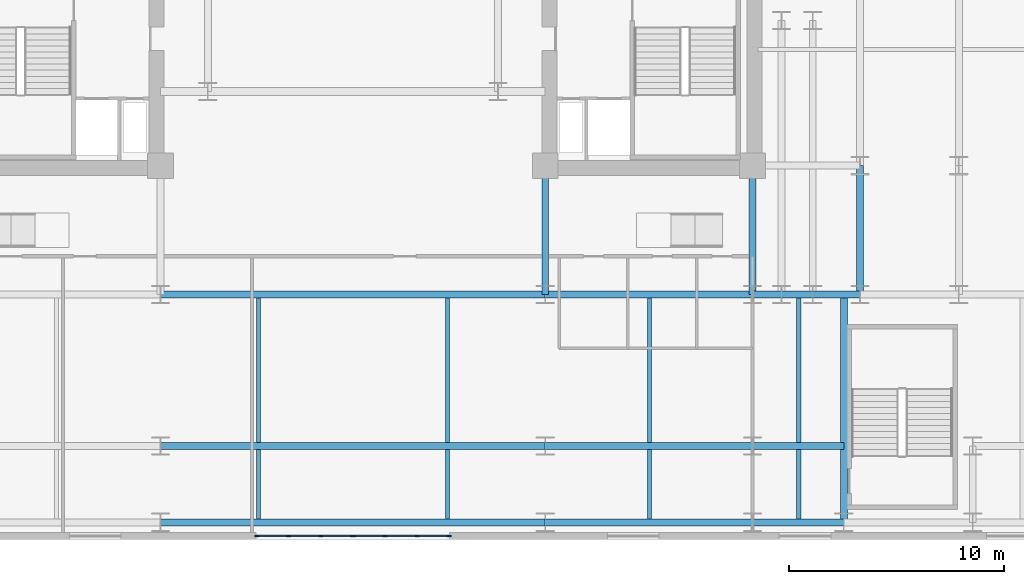
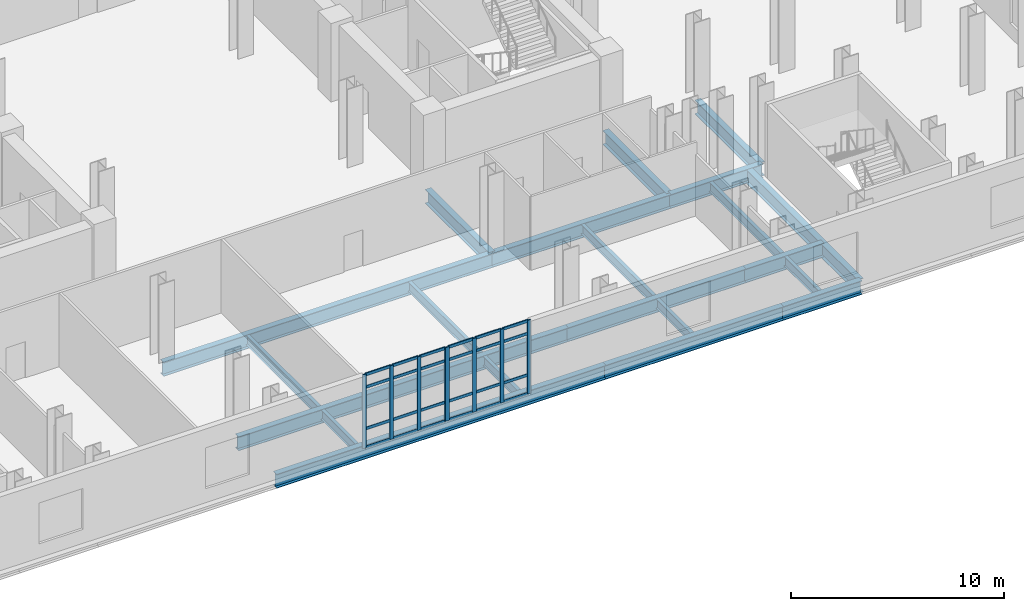
# One storey, part 3 of 13: 32 members, 21 beams, 2 elements without a shape of their own.
"""IFC4 building model written with IfcOpenShell, lengths in metres."""

import ifcopenshell
import ifcopenshell.guid

model = None  # the IFC model being written
_history = None  # IfcOwnerHistory: only IFC2X3 demands one
_inside = {}  # id of a spatial element -> (the spatial element, [elements in it])
_under = {}  # id of a project, library or spatial element -> (it, [spatial elements below it])
_declared = {}  # id of a project -> (the project, [libraries it declares])
_typed = {}  # id of a type object -> (the type object, [elements of that type])
_made_of = {}  # id of a material, layer set ... -> (it, [elements and type objects made of it])


def new_model(schema):
    """Start an empty IFC model of exactly this schema.

    Asked for "IFC4X3", IfcOpenShell would pick the latest addendum, in which some entities
    have other attributes; the version numbers below select the first issue.
    IFC2X3 requires an IfcOwnerHistory on every rooted entity: one is made here for all.
    """
    global model, _history
    if schema == "IFC4X3":
        model = ifcopenshell.file(schema_version=(4, 3, 0, 0))
    else:
        model = ifcopenshell.file(schema=schema)
    _inside.clear()
    _under.clear()
    _declared.clear()
    _typed.clear()
    _made_of.clear()
    _history = None
    if model.schema == "IFC2X3":
        org = make("IfcOrganization", Name="unknown")
        user = make(
            "IfcPersonAndOrganization",
            ThePerson=make("IfcPerson", FamilyName="unknown"),
            TheOrganization=org,
        )
        app = make(
            "IfcApplication",
            ApplicationDeveloper=org,
            Version="unknown",
            ApplicationFullName="unknown",
            ApplicationIdentifier="unknown",
        )
        _history = make(
            "IfcOwnerHistory",
            OwningUser=user,
            OwningApplication=app,
            ChangeAction="ADDED",
            CreationDate=0,
        )
    return model


def make(cls, **values):
    """One entity of the class cls with the attributes given. An attribute that is None is left unset."""
    return model.create_entity(
        cls, **{name: value for name, value in values.items() if value is not None}
    )


def rooted(cls, **values):
    """An entity with a GlobalId (a new one), such as an element, a storey or a relation."""
    return make(cls, GlobalId=ifcopenshell.guid.new(), OwnerHistory=_history, **values)


def si_unit(unit_type, name, prefix=None):
    """IfcSIUnit, for example si_unit("LENGTHUNIT", "METRE", prefix="MILLI")."""
    return make("IfcSIUnit", UnitType=unit_type, Prefix=prefix, Name=name)


def assignment(units):
    """IfcUnitAssignment: the units of a project."""
    return None if units is None else make("IfcUnitAssignment", Units=units)


def point(xyz):
    """IfcCartesianPoint."""
    return None if xyz is None else make("IfcCartesianPoint", Coordinates=xyz)


def direction(xyz):
    """IfcDirection."""
    return None if xyz is None else make("IfcDirection", DirectionRatios=xyz)


def frame(location, z_axis=None, x_axis=None):
    """IfcAxis2Placement3D, a coordinate frame: its origin and axes. An axis left out is left unset."""
    return make(
        "IfcAxis2Placement3D",
        Location=point(location),
        Axis=direction(z_axis),
        RefDirection=direction(x_axis),
    )


def frame_2d(location, x_axis=None):
    """IfcAxis2Placement2D, a coordinate frame in the plane: its origin and x axis."""
    return make(
        "IfcAxis2Placement2D", Location=point(location), RefDirection=direction(x_axis)
    )


def origin():
    """The frame at (0, 0, 0) with its axes left unset."""
    return frame((0.0, 0.0, 0.0))


def origin_2d():
    """The frame at (0, 0) in the plane with its x axis left unset."""
    return frame_2d((0.0, 0.0))


def place(relative_to, where):
    """IfcLocalPlacement: puts the frame where relative to a parent placement (None: the world)."""
    return make(
        "IfcLocalPlacement", PlacementRelTo=relative_to, RelativePlacement=where
    )


def context(
    kind, dimensions, precision=None, world=None, true_north=None, identifier=None
):
    """IfcGeometricRepresentationContext, for example the 3D "Model" context."""
    return make(
        "IfcGeometricRepresentationContext",
        ContextIdentifier=identifier,
        ContextType=kind,
        CoordinateSpaceDimension=dimensions,
        Precision=precision,
        WorldCoordinateSystem=world,
        TrueNorth=true_north,
    )


def subcontext(parent, identifier, kind, view, scale=None):
    """IfcGeometricRepresentationSubContext, for example "Body" below "Model"."""
    return make(
        "IfcGeometricRepresentationSubContext",
        ContextIdentifier=identifier,
        ContextType=kind,
        ParentContext=parent,
        TargetScale=scale,
        TargetView=view,
    )


def project(units=None, contexts=None):
    """IfcProject with its units and contexts."""
    return rooted(
        "IfcProject",
        Name="project",
        RepresentationContexts=contexts,
        UnitsInContext=assignment(units),
    )


def spatial(cls, under=None, at=None, **own):
    """A site, building, storey or space (cls), placed at a placement, below another one or the project."""
    s = rooted(cls, ObjectPlacement=at, **own)
    if under is not None:
        _under.setdefault(under.id(), (under, []))[1].append(s)
    return s


def profile(cls, at=None, kind="AREA", **sizes):
    """A parametric profile (cls). Its sizes go by their IFC names, for example OverallWidth=200.0."""
    return make(cls, ProfileType=kind, Position=at, **sizes)


def rectangle(**sizes):
    """IfcRectangleProfileDef."""
    return profile("IfcRectangleProfileDef", **sizes)


def i_section(**sizes):
    """IfcIShapeProfileDef."""
    return profile("IfcIShapeProfileDef", **sizes)


def extrude(swept, where, along, depth):
    """IfcExtrudedAreaSolid: the profile swept, set in the frame where, extruded along a direction by depth."""
    return make(
        "IfcExtrudedAreaSolid",
        SweptArea=swept,
        Position=where,
        ExtrudedDirection=direction(along),
        Depth=depth,
    )


def shape(context_of_items, identifier, shape_type, items):
    """IfcShapeRepresentation: the items that make up one representation, for example the "Body"."""
    return make(
        "IfcShapeRepresentation",
        ContextOfItems=context_of_items,
        RepresentationIdentifier=identifier,
        RepresentationType=shape_type,
        Items=items,
    )


def material(Name=None, Category=None):
    """IfcMaterial."""
    return make("IfcMaterial", Name=Name, Category=Category)


def layer(
    of_material, thickness, ventilated=None, Name=None, Category=None, Priority=None
):
    """IfcMaterialLayer: one layer of a wall or slab, of a material (None: an air gap)."""
    return make(
        "IfcMaterialLayer",
        Material=of_material,
        LayerThickness=thickness,
        IsVentilated=ventilated,
        Name=Name,
        Category=Category,
        Priority=Priority,
    )


def layer_set(layers, Name=None):
    """IfcMaterialLayerSet."""
    return make("IfcMaterialLayerSet", MaterialLayers=layers, LayerSetName=Name)


def material_profile(
    of_material, cross_section, Name=None, Category=None, Priority=None
):
    """IfcMaterialProfile: a cross section and its material."""
    return make(
        "IfcMaterialProfile",
        Name=Name,
        Material=of_material,
        Profile=cross_section,
        Priority=Priority,
        Category=Category,
    )


def profile_set(profiles, Name=None, composite=None):
    """IfcMaterialProfileSet."""
    return make(
        "IfcMaterialProfileSet",
        Name=Name,
        MaterialProfiles=profiles,
        CompositeProfile=composite,
    )


def made_of(thing, what):
    """Note that an element or type object is made of a material, layer set ...; save() writes the relation."""
    if what is not None:
        _made_of.setdefault(what.id(), (what, []))[1].append(thing)
    return thing


def type_object(cls, material=None, **own):
    """A type object (cls), such as IfcWallType, which elements share."""
    return made_of(rooted(cls, **own), material)


def element(
    cls,
    number,
    at=None,
    inside=None,
    cuts=None,
    type_object=None,
    material=None,
    context=None,
    identifier="Body",
    shape_type=None,
    held_by="IfcProductDefinitionShape",
    body=None,
    shapes=None,
    **own,
):
    """One element of the class cls, such as IfcWall. Its Tag is "e" and its number.

    at: its placement. inside: the storey or other place that contains it. cuts: it is an
    opening in that element (IfcRelVoidsElement). A single representation is given by context,
    identifier, shape_type and body (its items); several are given by shapes. held_by: the class
    of the entity that holds the representations. save() writes the other relations.
    """
    e = rooted(cls, Tag="e%d" % number, ObjectPlacement=at, **own)
    if body is not None:
        shapes = [shape(context, identifier, shape_type, body)]
    if shapes is not None:
        e.Representation = make(held_by, Representations=shapes)
    if inside is not None:
        _inside.setdefault(inside.id(), (inside, []))[1].append(e)
    if cuts is not None:
        rooted(
            "IfcRelVoidsElement", RelatingBuildingElement=cuts, RelatedOpeningElement=e
        )
    if type_object is not None:
        _typed.setdefault(type_object.id(), (type_object, []))[1].append(e)
    return made_of(e, material)


def aggregate(whole, parts):
    """IfcRelAggregates: a whole, such as a stair, and the parts it consists of."""
    return rooted("IfcRelAggregates", RelatingObject=whole, RelatedObjects=parts)


def save(model, path):
    """Write the relations noted so far, then the file.

    IfcRelAggregates (storeys below a building ...), IfcRelContainedInSpatialStructure (elements
    in a storey), IfcRelDefinesByType, IfcRelAssociatesMaterial and IfcRelDeclares: one each for
    every whole, place, type object, material and project.
    """
    for whole, parts in _under.values():
        aggregate(whole, parts)
    for where, things in _inside.values():
        rooted(
            "IfcRelContainedInSpatialStructure",
            RelatedElements=things,
            RelatingStructure=where,
        )
    for kind, things in _typed.values():
        rooted("IfcRelDefinesByType", RelatedObjects=things, RelatingType=kind)
    for what, things in _made_of.values():
        rooted("IfcRelAssociatesMaterial", RelatedObjects=things, RelatingMaterial=what)
    for by, libraries in _declared.values():
        rooted("IfcRelDeclares", RelatingContext=by, RelatedDefinitions=libraries)
    model.write(path)


model = new_model("IFC4")

# Units and contexts
model_context = context("Model", 3, precision=1e-05, world=origin(), true_north=direction((0.0, 1.0)))
body_context = subcontext(model_context, "Body", "Model", "MODEL_VIEW")
ifc_project = project(units=[si_unit("LENGTHUNIT", "METRE"), si_unit("AREAUNIT", "SQUARE_METRE"), si_unit("VOLUMEUNIT", "CUBIC_METRE"), si_unit("PLANEANGLEUNIT", "RADIAN"), si_unit("MASSUNIT", "GRAM", prefix="KILO")], contexts=[model_context])

# Site, building, storey
site_placement = place(None, origin())
site = spatial("IfcSite", under=ifc_project, at=site_placement, CompositionType="ELEMENT")
building_placement = place(site_placement, origin())
building = spatial("IfcBuilding", under=site, at=building_placement, Name="Velakula Bourse", CompositionType="ELEMENT")
storey_placement = place(building_placement, frame((0.0, 0.0, 5.10009765625)))
storey = spatial("IfcBuildingStorey", under=building, at=storey_placement, Name="L01", CompositionType="ELEMENT", Elevation=5.10009765625)

# Beams
ifc_material_1 = material(Name="Steel IS 2062 Grade 350 (E350)", Category="steel")
ifc_material_profile_1 = material_profile(ifc_material_1, i_section(OverallWidth=0.320068359375, OverallDepth=0.800048828125, WebThickness=0.01806640625, FlangeThickness=0.028076171875, at=origin_2d()), Name="Steel IS 2062 Grade 350 (E350)")
ifc_profile_set_1 = profile_set([ifc_material_profile_1], Name="Steel IS 2062 Grade 350 (E350)")
beam_type_1 = type_object("IfcBeamType", Name="BM-POD-800", PredefinedType="BEAM", material=ifc_profile_set_1)
for number, where, z_axis, x_axis, name in (
    (1, (8.949951171875, -14.60009765625, -0.650146484375), (0.0, 1.0, 0.0), (-1.0, 0.0, 0.0), "L01 Fulcrum Grid Girder FLC-ECS"),
    (2, (18.60009765625, -14.60009765625, -0.650146484375), (0.0, 1.0, 0.0), (-1.0, 0.0, 0.0), "L01 Fulcrum Grid Girder FLC-ES"),
):
    element("IfcBeam", number, at=place(storey_placement, frame(where, z_axis=z_axis, x_axis=x_axis)), inside=storey, type_object=beam_type_1, Name=name, PredefinedType="BEAM", context=body_context, shape_type="SweptSolid", body=[
        extrude(i_section(OverallWidth=0.320068359375, OverallDepth=0.800048828125, WebThickness=0.01806640625, FlangeThickness=0.028076171875, at=origin_2d()), origin(), (0.0, 0.0, 1.0), 6.0),
    ])
beam_1_placement = place(storey_placement, frame((-8.949951171875, -14.60009765625, -0.650146484375), z_axis=(1.0, 0.0, 0.0), x_axis=(0.0, 1.0, 0.0)))
element("IfcBeam", 3, at=beam_1_placement, inside=storey, type_object=beam_type_1, Name="L01 Fulcrum Grid Girder FLC-S2", PredefinedType="BEAM", context=body_context, shape_type="SweptSolid", body=[
    extrude(i_section(OverallWidth=0.320068359375, OverallDepth=0.800048828125, WebThickness=0.01806640625, FlangeThickness=0.028076171875, at=origin_2d()), origin(), (0.0, 0.0, 1.0), 17.89990234375),
])
beam_2_placement = place(storey_placement, frame((8.949951171875, -14.60009765625, -0.650146484375), z_axis=(1.0, 0.0, 0.0), x_axis=(0.0, 1.0, 0.0)))
element("IfcBeam", 4, at=beam_2_placement, inside=storey, type_object=beam_type_1, Name="L01 Fulcrum Grid Girder FLC-S3", PredefinedType="BEAM", context=body_context, shape_type="SweptSolid", body=[
    extrude(i_section(OverallWidth=0.320068359375, OverallDepth=0.800048828125, WebThickness=0.01806640625, FlangeThickness=0.028076171875, at=origin_2d()), origin(), (0.0, 0.0, 1.0), 9.650146484375),
])
beam_3_placement = place(storey_placement, frame((18.60009765625, -14.60009765625, -0.650146484375), z_axis=(1.0, 0.0, 0.0), x_axis=(0.0, 1.0, 0.0)))
element("IfcBeam", 5, at=beam_3_placement, inside=storey, type_object=beam_type_1, Name="L01 Fulcrum Grid Girder MWG-ES1", PredefinedType="BEAM", context=body_context, shape_type="SweptSolid", body=[
    extrude(i_section(OverallWidth=0.320068359375, OverallDepth=0.800048828125, WebThickness=0.01806640625, FlangeThickness=0.028076171875, at=origin_2d()), origin(), (0.0, 0.0, 1.0), 5.0),
])
beam_4_placement = place(storey_placement, frame((23.60009765625, -14.60009765625, -0.650146484375), z_axis=(0.0, 1.0, 0.0), x_axis=(-1.0, 0.0, 0.0)))
element("IfcBeam", 6, at=beam_4_placement, inside=storey, type_object=beam_type_1, Name="L01 Fulcrum Grid Girder MWG-ENS1", PredefinedType="BEAM", context=body_context, shape_type="SweptSolid", body=[
    extrude(i_section(OverallWidth=0.320068359375, OverallDepth=0.800048828125, WebThickness=0.01806640625, FlangeThickness=0.028076171875, at=origin_2d()), origin(), (0.0, 0.0, 1.0), 6.0),
])
beam_5_placement = place(storey_placement, frame((22.85009765625, -25.199951171875, -0.650146484375), z_axis=(0.0, 1.0, 0.0), x_axis=(-1.0, 0.0, 0.0)))
element("IfcBeam", 7, at=beam_5_placement, inside=storey, type_object=beam_type_1, Name="L01 Podium Stairwell Header Girder STE", PredefinedType="BEAM", context=body_context, shape_type="SweptSolid", body=[
    extrude(i_section(OverallWidth=0.320068359375, OverallDepth=0.800048828125, WebThickness=0.01806640625, FlangeThickness=0.028076171875, at=origin_2d()), origin(), (0.0, 0.0, 1.0), 10.599853515625),
])
beam_6_placement = place(storey_placement, frame((-8.949951171875, -25.199951171875, -0.650146484375), z_axis=(1.0, 0.0, 0.0), x_axis=(0.0, 1.0, 0.0)))
element("IfcBeam", 8, at=beam_6_placement, inside=storey, type_object=beam_type_1, Name="L01 Podium E-W Girder 06", PredefinedType="BEAM", context=body_context, shape_type="SweptSolid", body=[
    extrude(i_section(OverallWidth=0.320068359375, OverallDepth=0.800048828125, WebThickness=0.01806640625, FlangeThickness=0.028076171875, at=origin_2d()), origin(), (0.0, 0.0, 1.0), 17.89990234375),
])
beam_7_placement = place(storey_placement, frame((8.949951171875, -25.199951171875, -0.650146484375), z_axis=(1.0, 0.0, 0.0), x_axis=(0.0, 1.0, 0.0)))
element("IfcBeam", 9, at=beam_7_placement, inside=storey, type_object=beam_type_1, Name="L01 Podium E-W Girder 07", PredefinedType="BEAM", context=body_context, shape_type="SweptSolid", body=[
    extrude(i_section(OverallWidth=0.320068359375, OverallDepth=0.800048828125, WebThickness=0.01806640625, FlangeThickness=0.028076171875, at=origin_2d()), origin(), (0.0, 0.0, 1.0), 9.650146484375),
])
beam_8_placement = place(storey_placement, frame((18.60009765625, -25.199951171875, -0.650146484375), z_axis=(1.0, 0.0, 0.0), x_axis=(0.0, 1.0, 0.0)))
element("IfcBeam", 10, at=beam_8_placement, inside=storey, type_object=beam_type_1, Name="L01 Podium E-W Girder 08", PredefinedType="BEAM", context=body_context, shape_type="SweptSolid", body=[
    extrude(i_section(OverallWidth=0.320068359375, OverallDepth=0.800048828125, WebThickness=0.01806640625, FlangeThickness=0.028076171875, at=origin_2d()), origin(), (0.0, 0.0, 1.0), 4.25),
])
beam_9_placement = place(storey_placement, frame((-8.949951171875, -21.64990234375, -0.650146484375), z_axis=(1.0, 0.0, 0.0), x_axis=(0.0, 1.0, 0.0)))
element("IfcBeam", 11, at=beam_9_placement, inside=storey, type_object=beam_type_1, Name="L01 Podium E-W Girder 16", PredefinedType="BEAM", context=body_context, shape_type="SweptSolid", body=[
    extrude(i_section(OverallWidth=0.320068359375, OverallDepth=0.800048828125, WebThickness=0.01806640625, FlangeThickness=0.028076171875, at=origin_2d()), origin(), (0.0, 0.0, 1.0), 17.89990234375),
])
beam_10_placement = place(storey_placement, frame((8.949951171875, -21.64990234375, -0.650146484375), z_axis=(1.0, 0.0, 0.0), x_axis=(0.0, 1.0, 0.0)))
element("IfcBeam", 12, at=beam_10_placement, inside=storey, type_object=beam_type_1, Name="L01 Podium E-W Girder 17", PredefinedType="BEAM", context=body_context, shape_type="SweptSolid", body=[
    extrude(i_section(OverallWidth=0.320068359375, OverallDepth=0.800048828125, WebThickness=0.01806640625, FlangeThickness=0.028076171875, at=origin_2d()), origin(), (0.0, 0.0, 1.0), 9.650146484375),
])
beam_11_placement = place(storey_placement, frame((18.60009765625, -21.64990234375, -0.650146484375), z_axis=(1.0, 0.0, 0.0), x_axis=(0.0, 1.0, 0.0)))
element("IfcBeam", 13, at=beam_11_placement, inside=storey, type_object=beam_type_1, Name="L01 Podium E-W Girder 18", PredefinedType="BEAM", context=body_context, shape_type="SweptSolid", body=[
    extrude(i_section(OverallWidth=0.320068359375, OverallDepth=0.800048828125, WebThickness=0.01806640625, FlangeThickness=0.028076171875, at=origin_2d()), origin(), (0.0, 0.0, 1.0), 4.25),
])
ifc_material_profile_2 = material_profile(ifc_material_1, i_section(OverallWidth=0.18994140625, OverallDepth=0.550048828125, WebThickness=0.01123046875, FlangeThickness=0.019287109375, at=origin_2d()), Name="Steel IS 2062 Grade 350 (E350)")
ifc_profile_set_2 = profile_set([ifc_material_profile_2], Name="Steel IS 2062 Grade 350 (E350)")
beam_type_2 = type_object("IfcBeamType", Name="JST-POD-550", PredefinedType="JOIST", material=ifc_profile_set_2)
beam_12_placement = place(storey_placement, frame((-4.39990234375, -25.0400390625, -0.525146484375), z_axis=(0.0, 1.0, 0.0), x_axis=(-1.0, 0.0, 0.0)))
element("IfcBeam", 14, at=beam_12_placement, inside=storey, type_object=beam_type_2, Name="L01 Station Podium Floor Joist 13", PredefinedType="JOIST", context=body_context, shape_type="SweptSolid", body=[
    extrude(i_section(OverallWidth=0.18994140625, OverallDepth=0.550048828125, WebThickness=0.01123046875, FlangeThickness=0.019287109375, at=origin_2d()), origin(), (0.0, 0.0, 1.0), 3.22998046875),
])
beam_13_placement = place(storey_placement, frame((-4.39990234375, -21.489990234375, -0.525146484375), z_axis=(0.0, 1.0, 0.0), x_axis=(-1.0, 0.0, 0.0)))
element("IfcBeam", 15, at=beam_13_placement, inside=storey, type_object=beam_type_2, Name="L01 Station Podium Floor Joist 14", PredefinedType="JOIST", context=body_context, shape_type="SweptSolid", body=[
    extrude(i_section(OverallWidth=0.18994140625, OverallDepth=0.550048828125, WebThickness=0.01123046875, FlangeThickness=0.019287109375, at=origin_2d()), origin(), (0.0, 0.0, 1.0), 6.72998046875),
])
beam_14_placement = place(storey_placement, frame((4.39990234375, -25.0400390625, -0.525146484375), z_axis=(0.0, 1.0, 0.0), x_axis=(-1.0, 0.0, 0.0)))
element("IfcBeam", 16, at=beam_14_placement, inside=storey, type_object=beam_type_2, Name="L01 Station Podium Floor Joist 17", PredefinedType="JOIST", context=body_context, shape_type="SweptSolid", body=[
    extrude(i_section(OverallWidth=0.18994140625, OverallDepth=0.550048828125, WebThickness=0.01123046875, FlangeThickness=0.019287109375, at=origin_2d()), origin(), (0.0, 0.0, 1.0), 3.22998046875),
])
beam_15_placement = place(storey_placement, frame((4.39990234375, -21.489990234375, -0.525146484375), z_axis=(0.0, 1.0, 0.0), x_axis=(-1.0, 0.0, 0.0)))
element("IfcBeam", 17, at=beam_15_placement, inside=storey, type_object=beam_type_2, Name="L01 Station Podium Floor Joist 18", PredefinedType="JOIST", context=body_context, shape_type="SweptSolid", body=[
    extrude(i_section(OverallWidth=0.18994140625, OverallDepth=0.550048828125, WebThickness=0.01123046875, FlangeThickness=0.019287109375, at=origin_2d()), origin(), (0.0, 0.0, 1.0), 6.72998046875),
])
beam_16_placement = place(storey_placement, frame((13.800048828125, -25.0400390625, -0.525146484375), z_axis=(0.0, 1.0, 0.0), x_axis=(-1.0, 0.0, 0.0)))
element("IfcBeam", 18, at=beam_16_placement, inside=storey, type_object=beam_type_2, Name="L01 Station Podium Floor Joist 21", PredefinedType="JOIST", context=body_context, shape_type="SweptSolid", body=[
    extrude(i_section(OverallWidth=0.18994140625, OverallDepth=0.550048828125, WebThickness=0.01123046875, FlangeThickness=0.019287109375, at=origin_2d()), origin(), (0.0, 0.0, 1.0), 3.22998046875),
])
beam_17_placement = place(storey_placement, frame((13.800048828125, -21.489990234375, -0.525146484375), z_axis=(0.0, 1.0, 0.0), x_axis=(-1.0, 0.0, 0.0)))
element("IfcBeam", 19, at=beam_17_placement, inside=storey, type_object=beam_type_2, Name="L01 Station Podium Floor Joist 22", PredefinedType="JOIST", context=body_context, shape_type="SweptSolid", body=[
    extrude(i_section(OverallWidth=0.18994140625, OverallDepth=0.550048828125, WebThickness=0.01123046875, FlangeThickness=0.019287109375, at=origin_2d()), origin(), (0.0, 0.0, 1.0), 6.72998046875),
])
beam_18_placement = place(storey_placement, frame((20.75, -25.0400390625, -0.525146484375), z_axis=(0.0, 1.0, 0.0), x_axis=(-1.0, 0.0, 0.0)))
element("IfcBeam", 20, at=beam_18_placement, inside=storey, type_object=beam_type_2, Name="L01 Station Podium Floor Joist 25", PredefinedType="JOIST", context=body_context, shape_type="SweptSolid", body=[
    extrude(i_section(OverallWidth=0.18994140625, OverallDepth=0.550048828125, WebThickness=0.01123046875, FlangeThickness=0.019287109375, at=origin_2d()), origin(), (0.0, 0.0, 1.0), 3.22998046875),
])
beam_19_placement = place(storey_placement, frame((20.75, -21.489990234375, -0.525146484375), z_axis=(0.0, 1.0, 0.0), x_axis=(-1.0, 0.0, 0.0)))
element("IfcBeam", 21, at=beam_19_placement, inside=storey, type_object=beam_type_2, Name="L01 Station Podium Floor Joist 26", PredefinedType="JOIST", context=body_context, shape_type="SweptSolid", body=[
    extrude(i_section(OverallWidth=0.18994140625, OverallDepth=0.550048828125, WebThickness=0.01123046875, FlangeThickness=0.019287109375, at=origin_2d()), origin(), (0.0, 0.0, 1.0), 6.72998046875),
])

# Curtain wall, members
ifc_material_2 = material(Name="Anodised bronze architectural aluminium", Category="aluminium")
ifc_layer = layer(ifc_material_2, 0.199951171875, Name="Anodised bronze architectural aluminium", Category="aluminium")
ifc_layer_set = layer_set([ifc_layer], Name="Anodised bronze architectural aluminium")
curtain_wall_type = type_object("IfcCurtainWallType", Name="CW-ST1", PredefinedType="NOTDEFINED", material=ifc_layer_set)
curtain_wall_1_placement = place(storey_placement, origin())
curtain_wall_1 = element("IfcCurtainWall", 22, at=curtain_wall_1_placement, inside=storey, type_object=curtain_wall_type, Name="L01 South Station Galleria Curtain Wall 2", PredefinedType="NOTDEFINED")
ifc_material_profile_3 = material_profile(ifc_material_2, rectangle(XDim=0.06005859375, YDim=0.199951171875, at=origin_2d()), Name="Anodised bronze architectural aluminium")
ifc_profile_set_3 = profile_set([ifc_material_profile_3], Name="Anodised bronze architectural aluminium")
member_type_1 = type_object("IfcMemberType", Name="MUL-CW-ST1", PredefinedType="MULLION", material=ifc_profile_set_3)
member_1_placement = place(storey_placement, frame((4.469970703125, -25.840087890625, 0.0), z_axis=(0.0, 0.0, 1.0), x_axis=(0.0, -1.0, 0.0)))
member_1 = element("IfcMember", 23, at=member_1_placement, type_object=member_type_1, Name="CW-ST1 mullion 1", PredefinedType="MULLION", context=body_context, shape_type="SweptSolid", body=[
    extrude(rectangle(XDim=0.06005859375, YDim=0.199951171875, at=origin_2d()), origin(), (0.0, 0.0, 1.0), 4.22998046875),
])
member_2_placement = place(storey_placement, frame((3.0, -25.840087890625, 0.0), z_axis=(0.0, 0.0, 1.0), x_axis=(0.0, -1.0, 0.0)))
member_2 = element("IfcMember", 24, at=member_2_placement, type_object=member_type_1, Name="CW-ST1 mullion 2", PredefinedType="MULLION", context=body_context, shape_type="SweptSolid", body=[
    extrude(rectangle(XDim=0.06005859375, YDim=0.199951171875, at=origin_2d()), origin(), (0.0, 0.0, 1.0), 4.22998046875),
])
member_3_placement = place(storey_placement, frame((1.5, -25.840087890625, 0.0), z_axis=(0.0, 0.0, 1.0), x_axis=(0.0, -1.0, 0.0)))
member_3 = element("IfcMember", 25, at=member_3_placement, type_object=member_type_1, Name="CW-ST1 mullion 3", PredefinedType="MULLION", context=body_context, shape_type="SweptSolid", body=[
    extrude(rectangle(XDim=0.06005859375, YDim=0.199951171875, at=origin_2d()), origin(), (0.0, 0.0, 1.0), 4.22998046875),
])
member_4_placement = place(storey_placement, frame((0.030029296875, -25.840087890625, 0.0), z_axis=(0.0, 0.0, 1.0), x_axis=(0.0, -1.0, 0.0)))
member_4 = element("IfcMember", 26, at=member_4_placement, type_object=member_type_1, Name="CW-ST1 mullion 4", PredefinedType="MULLION", context=body_context, shape_type="SweptSolid", body=[
    extrude(rectangle(XDim=0.06005859375, YDim=0.199951171875, at=origin_2d()), origin(), (0.0, 0.0, 1.0), 4.22998046875),
])

curtain_wall_2_placement = place(storey_placement, origin())
curtain_wall_2 = element("IfcCurtainWall", 27, at=curtain_wall_2_placement, inside=storey, type_object=curtain_wall_type, Name="L01 South Station Galleria Curtain Wall 3", PredefinedType="NOTDEFINED")
member_5_placement = place(storey_placement, frame((-0.030029296875, -25.840087890625, 0.0), z_axis=(0.0, 0.0, 1.0), x_axis=(0.0, -1.0, 0.0)))
member_5 = element("IfcMember", 28, at=member_5_placement, type_object=member_type_1, Name="CW-ST1 mullion 1", PredefinedType="MULLION", context=body_context, shape_type="SweptSolid", body=[
    extrude(rectangle(XDim=0.06005859375, YDim=0.199951171875, at=origin_2d()), origin(), (0.0, 0.0, 1.0), 4.22998046875),
])
member_6_placement = place(storey_placement, frame((-1.5, -25.840087890625, 0.0), z_axis=(0.0, 0.0, 1.0), x_axis=(0.0, -1.0, 0.0)))
member_6 = element("IfcMember", 29, at=member_6_placement, type_object=member_type_1, Name="CW-ST1 mullion 2", PredefinedType="MULLION", context=body_context, shape_type="SweptSolid", body=[
    extrude(rectangle(XDim=0.06005859375, YDim=0.199951171875, at=origin_2d()), origin(), (0.0, 0.0, 1.0), 4.22998046875),
])
member_7_placement = place(storey_placement, frame((-3.0, -25.840087890625, 0.0), z_axis=(0.0, 0.0, 1.0), x_axis=(0.0, -1.0, 0.0)))
member_7 = element("IfcMember", 30, at=member_7_placement, type_object=member_type_1, Name="CW-ST1 mullion 3", PredefinedType="MULLION", context=body_context, shape_type="SweptSolid", body=[
    extrude(rectangle(XDim=0.06005859375, YDim=0.199951171875, at=origin_2d()), origin(), (0.0, 0.0, 1.0), 4.22998046875),
])
member_8_placement = place(storey_placement, frame((-4.469970703125, -25.840087890625, 0.0), z_axis=(0.0, 0.0, 1.0), x_axis=(0.0, -1.0, 0.0)))
member_8 = element("IfcMember", 31, at=member_8_placement, type_object=member_type_1, Name="CW-ST1 mullion 4", PredefinedType="MULLION", context=body_context, shape_type="SweptSolid", body=[
    extrude(rectangle(XDim=0.06005859375, YDim=0.199951171875, at=origin_2d()), origin(), (0.0, 0.0, 1.0), 4.22998046875),
])

# Member
ifc_material_profile_4 = material_profile(ifc_material_2, rectangle(XDim=0.06005859375, YDim=0.159912109375, at=origin_2d()), Name="Anodised bronze architectural aluminium")
ifc_profile_set_4 = profile_set([ifc_material_profile_4], Name="Anodised bronze architectural aluminium")
member_type_2 = type_object("IfcMemberType", Name="TRN-CW-ST1", PredefinedType="USERDEFINED", material=ifc_profile_set_4)
member_9_placement = place(storey_placement, frame((4.43994140625, -25.840087890625, 0.02978515625), z_axis=(-1.0, 0.0, 0.0), x_axis=(0.0, -1.0, 0.0)))
member_9 = element("IfcMember", 32, at=member_9_placement, type_object=member_type_2, Name="CW-ST1 transom 1.1", ObjectType="TRANSOM", PredefinedType="USERDEFINED", context=body_context, shape_type="SweptSolid", body=[
    extrude(rectangle(XDim=0.06005859375, YDim=0.159912109375, at=origin_2d()), origin(), (0.0, 0.0, 1.0), 1.409912109375),
])

member_10_placement = place(storey_placement, frame((4.43994140625, -25.840087890625, 1.099853515625), z_axis=(-1.0, 0.0, 0.0), x_axis=(0.0, -1.0, 0.0)))
member_10 = element("IfcMember", 33, at=member_10_placement, type_object=member_type_2, Name="CW-ST1 transom 1.2", ObjectType="TRANSOM", PredefinedType="USERDEFINED", context=body_context, shape_type="SweptSolid", body=[
    extrude(rectangle(XDim=0.06005859375, YDim=0.159912109375, at=origin_2d()), origin(), (0.0, 0.0, 1.0), 1.409912109375),
])

member_11_placement = place(storey_placement, frame((4.43994140625, -25.840087890625, 3.47998046875), z_axis=(-1.0, 0.0, 0.0), x_axis=(0.0, -1.0, 0.0)))
member_11 = element("IfcMember", 34, at=member_11_placement, type_object=member_type_2, Name="CW-ST1 transom 1.3", ObjectType="TRANSOM", PredefinedType="USERDEFINED", context=body_context, shape_type="SweptSolid", body=[
    extrude(rectangle(XDim=0.06005859375, YDim=0.159912109375, at=origin_2d()), origin(), (0.0, 0.0, 1.0), 1.409912109375),
])

member_12_placement = place(storey_placement, frame((4.43994140625, -25.840087890625, 4.199951171875), z_axis=(-1.0, 0.0, 0.0), x_axis=(0.0, -1.0, 0.0)))
member_12 = element("IfcMember", 35, at=member_12_placement, type_object=member_type_2, Name="CW-ST1 transom 1.4", ObjectType="TRANSOM", PredefinedType="USERDEFINED", context=body_context, shape_type="SweptSolid", body=[
    extrude(rectangle(XDim=0.06005859375, YDim=0.159912109375, at=origin_2d()), origin(), (0.0, 0.0, 1.0), 1.409912109375),
])

member_13_placement = place(storey_placement, frame((2.969970703125, -25.840087890625, 0.02978515625), z_axis=(-1.0, 0.0, 0.0), x_axis=(0.0, -1.0, 0.0)))
member_13 = element("IfcMember", 36, at=member_13_placement, type_object=member_type_2, Name="CW-ST1 transom 2.1", ObjectType="TRANSOM", PredefinedType="USERDEFINED", context=body_context, shape_type="SweptSolid", body=[
    extrude(rectangle(XDim=0.06005859375, YDim=0.159912109375, at=origin_2d()), origin(), (0.0, 0.0, 1.0), 1.43994140625),
])

member_14_placement = place(storey_placement, frame((2.969970703125, -25.840087890625, 1.099853515625), z_axis=(-1.0, 0.0, 0.0), x_axis=(0.0, -1.0, 0.0)))
member_14 = element("IfcMember", 37, at=member_14_placement, type_object=member_type_2, Name="CW-ST1 transom 2.2", ObjectType="TRANSOM", PredefinedType="USERDEFINED", context=body_context, shape_type="SweptSolid", body=[
    extrude(rectangle(XDim=0.06005859375, YDim=0.159912109375, at=origin_2d()), origin(), (0.0, 0.0, 1.0), 1.43994140625),
])

member_15_placement = place(storey_placement, frame((2.969970703125, -25.840087890625, 3.47998046875), z_axis=(-1.0, 0.0, 0.0), x_axis=(0.0, -1.0, 0.0)))
member_15 = element("IfcMember", 38, at=member_15_placement, type_object=member_type_2, Name="CW-ST1 transom 2.3", ObjectType="TRANSOM", PredefinedType="USERDEFINED", context=body_context, shape_type="SweptSolid", body=[
    extrude(rectangle(XDim=0.06005859375, YDim=0.159912109375, at=origin_2d()), origin(), (0.0, 0.0, 1.0), 1.43994140625),
])

member_16_placement = place(storey_placement, frame((2.969970703125, -25.840087890625, 4.199951171875), z_axis=(-1.0, 0.0, 0.0), x_axis=(0.0, -1.0, 0.0)))
member_16 = element("IfcMember", 39, at=member_16_placement, type_object=member_type_2, Name="CW-ST1 transom 2.4", ObjectType="TRANSOM", PredefinedType="USERDEFINED", context=body_context, shape_type="SweptSolid", body=[
    extrude(rectangle(XDim=0.06005859375, YDim=0.159912109375, at=origin_2d()), origin(), (0.0, 0.0, 1.0), 1.43994140625),
])

member_17_placement = place(storey_placement, frame((1.469970703125, -25.840087890625, 0.02978515625), z_axis=(-1.0, 0.0, 0.0), x_axis=(0.0, -1.0, 0.0)))
member_17 = element("IfcMember", 40, at=member_17_placement, type_object=member_type_2, Name="CW-ST1 transom 3.1", ObjectType="TRANSOM", PredefinedType="USERDEFINED", context=body_context, shape_type="SweptSolid", body=[
    extrude(rectangle(XDim=0.06005859375, YDim=0.159912109375, at=origin_2d()), origin(), (0.0, 0.0, 1.0), 1.409912109375),
])

member_18_placement = place(storey_placement, frame((1.469970703125, -25.840087890625, 1.099853515625), z_axis=(-1.0, 0.0, 0.0), x_axis=(0.0, -1.0, 0.0)))
member_18 = element("IfcMember", 41, at=member_18_placement, type_object=member_type_2, Name="CW-ST1 transom 3.2", ObjectType="TRANSOM", PredefinedType="USERDEFINED", context=body_context, shape_type="SweptSolid", body=[
    extrude(rectangle(XDim=0.06005859375, YDim=0.159912109375, at=origin_2d()), origin(), (0.0, 0.0, 1.0), 1.409912109375),
])

member_19_placement = place(storey_placement, frame((1.469970703125, -25.840087890625, 3.47998046875), z_axis=(-1.0, 0.0, 0.0), x_axis=(0.0, -1.0, 0.0)))
member_19 = element("IfcMember", 42, at=member_19_placement, type_object=member_type_2, Name="CW-ST1 transom 3.3", ObjectType="TRANSOM", PredefinedType="USERDEFINED", context=body_context, shape_type="SweptSolid", body=[
    extrude(rectangle(XDim=0.06005859375, YDim=0.159912109375, at=origin_2d()), origin(), (0.0, 0.0, 1.0), 1.409912109375),
])

member_20_placement = place(storey_placement, frame((1.469970703125, -25.840087890625, 4.199951171875), z_axis=(-1.0, 0.0, 0.0), x_axis=(0.0, -1.0, 0.0)))
member_20 = element("IfcMember", 43, at=member_20_placement, type_object=member_type_2, Name="CW-ST1 transom 3.4", ObjectType="TRANSOM", PredefinedType="USERDEFINED", context=body_context, shape_type="SweptSolid", body=[
    extrude(rectangle(XDim=0.06005859375, YDim=0.159912109375, at=origin_2d()), origin(), (0.0, 0.0, 1.0), 1.409912109375),
])

aggregate(curtain_wall_1, [member_1, member_2, member_3, member_4, member_9, member_10, member_11, member_12, member_13, member_14, member_15, member_16, member_17, member_18, member_19, member_20])

member_21_placement = place(storey_placement, frame((-0.06005859375, -25.840087890625, 0.02978515625), z_axis=(-1.0, 0.0, 0.0), x_axis=(0.0, -1.0, 0.0)))
member_21 = element("IfcMember", 44, at=member_21_placement, type_object=member_type_2, Name="CW-ST1 transom 1.1", ObjectType="TRANSOM", PredefinedType="USERDEFINED", context=body_context, shape_type="SweptSolid", body=[
    extrude(rectangle(XDim=0.06005859375, YDim=0.159912109375, at=origin_2d()), origin(), (0.0, 0.0, 1.0), 1.409912109375),
])

member_22_placement = place(storey_placement, frame((-0.06005859375, -25.840087890625, 1.099853515625), z_axis=(-1.0, 0.0, 0.0), x_axis=(0.0, -1.0, 0.0)))
member_22 = element("IfcMember", 45, at=member_22_placement, type_object=member_type_2, Name="CW-ST1 transom 1.2", ObjectType="TRANSOM", PredefinedType="USERDEFINED", context=body_context, shape_type="SweptSolid", body=[
    extrude(rectangle(XDim=0.06005859375, YDim=0.159912109375, at=origin_2d()), origin(), (0.0, 0.0, 1.0), 1.409912109375),
])

member_23_placement = place(storey_placement, frame((-0.06005859375, -25.840087890625, 3.47998046875), z_axis=(-1.0, 0.0, 0.0), x_axis=(0.0, -1.0, 0.0)))
member_23 = element("IfcMember", 46, at=member_23_placement, type_object=member_type_2, Name="CW-ST1 transom 1.3", ObjectType="TRANSOM", PredefinedType="USERDEFINED", context=body_context, shape_type="SweptSolid", body=[
    extrude(rectangle(XDim=0.06005859375, YDim=0.159912109375, at=origin_2d()), origin(), (0.0, 0.0, 1.0), 1.409912109375),
])

member_24_placement = place(storey_placement, frame((-0.06005859375, -25.840087890625, 4.199951171875), z_axis=(-1.0, 0.0, 0.0), x_axis=(0.0, -1.0, 0.0)))
member_24 = element("IfcMember", 47, at=member_24_placement, type_object=member_type_2, Name="CW-ST1 transom 1.4", ObjectType="TRANSOM", PredefinedType="USERDEFINED", context=body_context, shape_type="SweptSolid", body=[
    extrude(rectangle(XDim=0.06005859375, YDim=0.159912109375, at=origin_2d()), origin(), (0.0, 0.0, 1.0), 1.409912109375),
])

member_25_placement = place(storey_placement, frame((-1.530029296875, -25.840087890625, 0.02978515625), z_axis=(-1.0, 0.0, 0.0), x_axis=(0.0, -1.0, 0.0)))
member_25 = element("IfcMember", 48, at=member_25_placement, type_object=member_type_2, Name="CW-ST1 transom 2.1", ObjectType="TRANSOM", PredefinedType="USERDEFINED", context=body_context, shape_type="SweptSolid", body=[
    extrude(rectangle(XDim=0.06005859375, YDim=0.159912109375, at=origin_2d()), origin(), (0.0, 0.0, 1.0), 1.43994140625),
])

member_26_placement = place(storey_placement, frame((-1.530029296875, -25.840087890625, 1.099853515625), z_axis=(-1.0, 0.0, 0.0), x_axis=(0.0, -1.0, 0.0)))
member_26 = element("IfcMember", 49, at=member_26_placement, type_object=member_type_2, Name="CW-ST1 transom 2.2", ObjectType="TRANSOM", PredefinedType="USERDEFINED", context=body_context, shape_type="SweptSolid", body=[
    extrude(rectangle(XDim=0.06005859375, YDim=0.159912109375, at=origin_2d()), origin(), (0.0, 0.0, 1.0), 1.43994140625),
])

member_27_placement = place(storey_placement, frame((-1.530029296875, -25.840087890625, 3.47998046875), z_axis=(-1.0, 0.0, 0.0), x_axis=(0.0, -1.0, 0.0)))
member_27 = element("IfcMember", 50, at=member_27_placement, type_object=member_type_2, Name="CW-ST1 transom 2.3", ObjectType="TRANSOM", PredefinedType="USERDEFINED", context=body_context, shape_type="SweptSolid", body=[
    extrude(rectangle(XDim=0.06005859375, YDim=0.159912109375, at=origin_2d()), origin(), (0.0, 0.0, 1.0), 1.43994140625),
])

member_28_placement = place(storey_placement, frame((-1.530029296875, -25.840087890625, 4.199951171875), z_axis=(-1.0, 0.0, 0.0), x_axis=(0.0, -1.0, 0.0)))
member_28 = element("IfcMember", 51, at=member_28_placement, type_object=member_type_2, Name="CW-ST1 transom 2.4", ObjectType="TRANSOM", PredefinedType="USERDEFINED", context=body_context, shape_type="SweptSolid", body=[
    extrude(rectangle(XDim=0.06005859375, YDim=0.159912109375, at=origin_2d()), origin(), (0.0, 0.0, 1.0), 1.43994140625),
])

member_29_placement = place(storey_placement, frame((-3.030029296875, -25.840087890625, 0.02978515625), z_axis=(-1.0, 0.0, 0.0), x_axis=(0.0, -1.0, 0.0)))
member_29 = element("IfcMember", 52, at=member_29_placement, type_object=member_type_2, Name="CW-ST1 transom 3.1", ObjectType="TRANSOM", PredefinedType="USERDEFINED", context=body_context, shape_type="SweptSolid", body=[
    extrude(rectangle(XDim=0.06005859375, YDim=0.159912109375, at=origin_2d()), origin(), (0.0, 0.0, 1.0), 1.409912109375),
])

member_30_placement = place(storey_placement, frame((-3.030029296875, -25.840087890625, 1.099853515625), z_axis=(-1.0, 0.0, 0.0), x_axis=(0.0, -1.0, 0.0)))
member_30 = element("IfcMember", 53, at=member_30_placement, type_object=member_type_2, Name="CW-ST1 transom 3.2", ObjectType="TRANSOM", PredefinedType="USERDEFINED", context=body_context, shape_type="SweptSolid", body=[
    extrude(rectangle(XDim=0.06005859375, YDim=0.159912109375, at=origin_2d()), origin(), (0.0, 0.0, 1.0), 1.409912109375),
])

member_31_placement = place(storey_placement, frame((-3.030029296875, -25.840087890625, 3.47998046875), z_axis=(-1.0, 0.0, 0.0), x_axis=(0.0, -1.0, 0.0)))
member_31 = element("IfcMember", 54, at=member_31_placement, type_object=member_type_2, Name="CW-ST1 transom 3.3", ObjectType="TRANSOM", PredefinedType="USERDEFINED", context=body_context, shape_type="SweptSolid", body=[
    extrude(rectangle(XDim=0.06005859375, YDim=0.159912109375, at=origin_2d()), origin(), (0.0, 0.0, 1.0), 1.409912109375),
])

member_32_placement = place(storey_placement, frame((-3.030029296875, -25.840087890625, 4.199951171875), z_axis=(-1.0, 0.0, 0.0), x_axis=(0.0, -1.0, 0.0)))
member_32 = element("IfcMember", 55, at=member_32_placement, type_object=member_type_2, Name="CW-ST1 transom 3.4", ObjectType="TRANSOM", PredefinedType="USERDEFINED", context=body_context, shape_type="SweptSolid", body=[
    extrude(rectangle(XDim=0.06005859375, YDim=0.159912109375, at=origin_2d()), origin(), (0.0, 0.0, 1.0), 1.409912109375),
])

aggregate(curtain_wall_2, [member_5, member_6, member_7, member_8, member_21, member_22, member_23, member_24, member_25, member_26, member_27, member_28, member_29, member_30, member_31, member_32])

save(model, "model.ifc")
